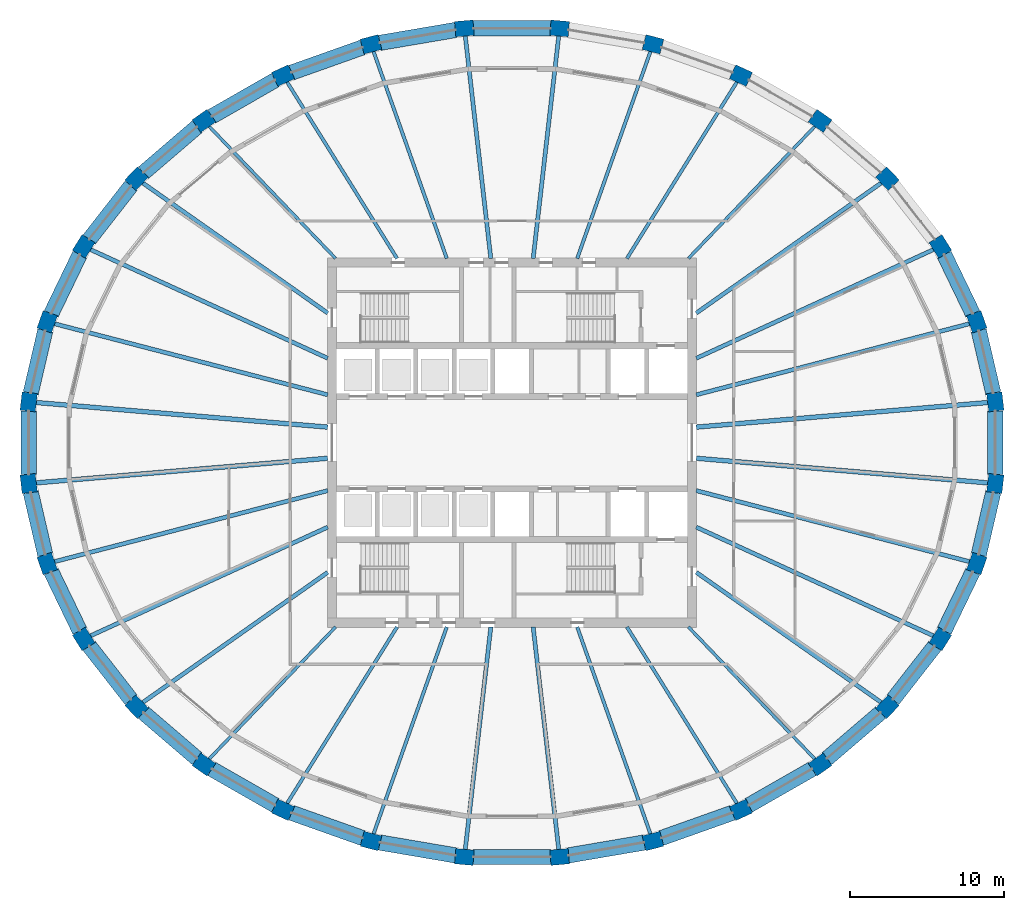
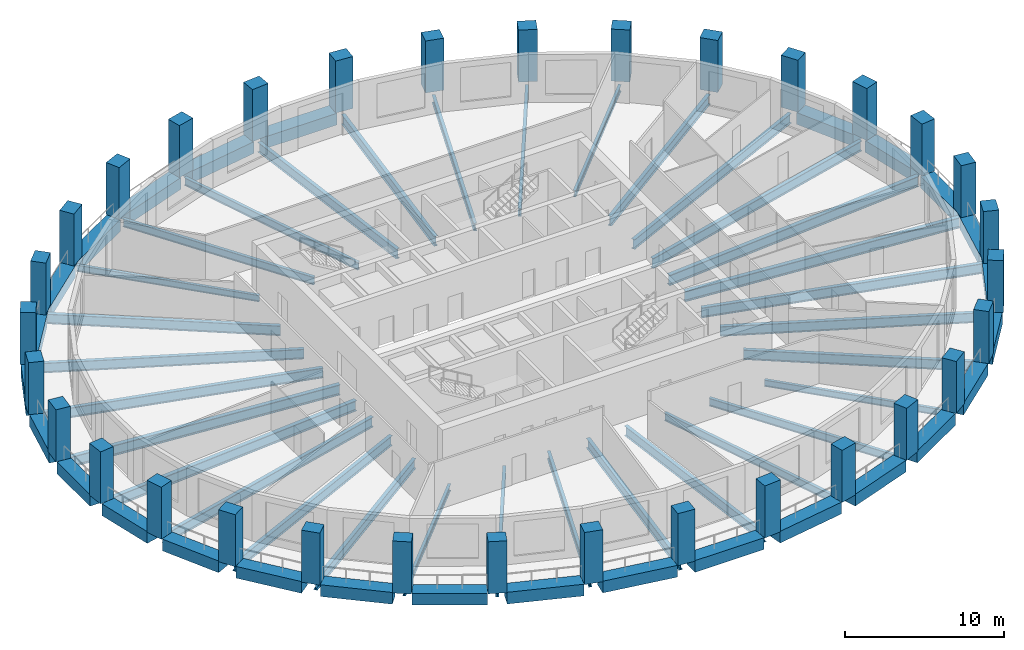
# One storey, part 1 of 11: 59 beams, 32 columns.
"""IFC4 building model written with IfcOpenShell, lengths in metres."""

from ifc_helpers import new_model, si_unit, direction, frame, origin, origin_2d, place, context, subcontext, project, spatial, rectangle, i_section, extrude, material, material_profile, profile_set, type_object, element, save


model = new_model("IFC4")

# Units and contexts
model_context = context("Model", 3, precision=1e-05, world=origin(), true_north=direction((0.0, 1.0)))
body_context = subcontext(model_context, "Body", "Model", "MODEL_VIEW")
ifc_project = project(units=[si_unit("LENGTHUNIT", "METRE"), si_unit("AREAUNIT", "SQUARE_METRE"), si_unit("VOLUMEUNIT", "CUBIC_METRE"), si_unit("PLANEANGLEUNIT", "RADIAN"), si_unit("MASSUNIT", "GRAM", prefix="KILO")], contexts=[model_context])

# Site, building, storey
site_placement = place(None, origin())
site = spatial("IfcSite", under=ifc_project, at=site_placement, CompositionType="ELEMENT")
building_placement = place(site_placement, origin())
building = spatial("IfcBuilding", under=site, at=building_placement, Name="Halqa Exchange Tower", CompositionType="ELEMENT")
storey_placement = place(building_placement, frame((0.0, 0.0, 226.89990234375)))
storey = spatial("IfcBuildingStorey", under=building, at=storey_placement, Name="L52", CompositionType="ELEMENT", Elevation=226.89990234375)

# Columns
ifc_material_1 = material(Name="Concrete C60/75", Category="concrete")
ifc_material_profile_1 = material_profile(ifc_material_1, rectangle(XDim=1.199951171875, YDim=1.0, at=origin_2d()), Name="1200 x 1000")
ifc_profile_set_1 = profile_set([ifc_material_profile_1], Name="Concrete C60/75")
column_type = type_object("IfcColumnType", Name="RC ring column 1200 x 1000 C60/75", PredefinedType="COLUMN", material=ifc_profile_set_1)
for number, where, z_axis, x_axis, name in (
    (1, (31.400634765625, 2.65087890625, 0.0), (0.0, 0.0, 1.0), (-0.114153454138, 0.993463129114, 0.0), "Ring column 1"),
    (2, (30.194091796875, 7.850830078125, 0.0), (0.0, 0.0, 1.0), (-0.333630814899, 0.942703813162, 0.0), "Ring column 2"),
    (3, (27.826904296875, 12.7490234375, 0.0), (0.0, 0.0, 1.0), (-0.529146420131, 0.848530533371, 0.0), "Ring column 3"),
    (4, (24.390380859375, 17.1572265625, 0.0), (0.0, 0.0, 1.0), (-0.691576091297, 0.722303613411, 0.0), "Ring column 4"),
    (5, (20.016845703125, 20.906005859375, 0.0), (0.0, 0.0, 1.0), (-0.817908788019, 0.57534790734, 0.0), "Ring column 5"),
    (6, (14.873779296875, 23.8515625, 0.0), (0.0, 0.0, 1.0), (-0.909128549752, 0.416515641994, 0.0), "Ring column 6"),
    (7, (9.1591796875, 25.880615234375, 0.0), (0.0, 0.0, 1.0), (-0.967818185946, 0.251650469805, 0.0), "Ring column 7"),
    (8, (3.0927734375, 26.914794921875, 0.0), (0.0, 0.0, 1.0), (-0.996454931683, 0.084128289675, 0.0), "Ring column 8"),
    (9, (-3.0927734375, 26.914794921875, 0.0), (0.0, 0.0, 1.0), (-0.996454931683, -0.084128289675, 0.0), "Ring column 9"),
    (10, (-9.1591796875, 25.880615234375, 0.0), (0.0, 0.0, 1.0), (-0.967818185946, -0.251650469805, 0.0), "Ring column 10"),
    (11, (-14.873779296875, 23.8515625, 0.0), (0.0, 0.0, 1.0), (-0.909128549752, -0.416515641994, 0.0), "Ring column 11"),
    (12, (-20.016845703125, 20.906005859375, 0.0), (0.0, 0.0, 1.0), (-0.817908788019, -0.57534790734, 0.0), "Ring column 12"),
    (13, (-24.390380859375, 17.1572265625, 0.0), (0.0, 0.0, 1.0), (-0.691576091297, -0.722303613411, 0.0), "Ring column 13"),
    (14, (-27.826904296875, 12.7490234375, 0.0), (0.0, 0.0, 1.0), (-0.529146420131, -0.848530533371, 0.0), "Ring column 14"),
    (15, (-30.194091796875, 7.850830078125, 0.0), (0.0, 0.0, 1.0), (-0.333630814899, -0.942703813162, 0.0), "Ring column 15"),
    (16, (-31.400634765625, 2.65087890625, 0.0), (0.0, 0.0, 1.0), (-0.114153454138, -0.993463129114, 0.0), "Ring column 16"),
    (17, (-31.400634765625, -2.65087890625, 0.0), (0.0, 0.0, 1.0), (0.114153454138, -0.993463129114, 0.0), "Ring column 17"),
    (18, (-30.194091796875, -7.850830078125, 0.0), (0.0, 0.0, 1.0), (0.333630814899, -0.942703813162, 0.0), "Ring column 18"),
    (19, (-27.826904296875, -12.7490234375, 0.0), (0.0, 0.0, 1.0), (0.529146420131, -0.848530533371, 0.0), "Ring column 19"),
    (20, (-24.390380859375, -17.1572265625, 0.0), (0.0, 0.0, 1.0), (0.691576091297, -0.722303613411, 0.0), "Ring column 20"),
    (21, (-20.016845703125, -20.906005859375, 0.0), (0.0, 0.0, 1.0), (0.817908788019, -0.57534790734, 0.0), "Ring column 21"),
    (22, (-14.873779296875, -23.8515625, 0.0), (0.0, 0.0, 1.0), (0.909128549752, -0.416515641994, 0.0), "Ring column 22"),
    (23, (-9.1591796875, -25.880615234375, 0.0), (0.0, 0.0, 1.0), (0.967818185946, -0.251650469805, 0.0), "Ring column 23"),
    (24, (-3.0927734375, -26.914794921875, 0.0), (0.0, 0.0, 1.0), (0.996454931683, -0.084128289675, 0.0), "Ring column 24"),
    (25, (3.0927734375, -26.914794921875, 0.0), (0.0, 0.0, 1.0), (0.996454931683, 0.084128289675, 0.0), "Ring column 25"),
    (26, (9.1591796875, -25.880615234375, 0.0), (0.0, 0.0, 1.0), (0.967818185946, 0.251650469805, 0.0), "Ring column 26"),
    (27, (14.873779296875, -23.8515625, 0.0), (0.0, 0.0, 1.0), (0.909128549752, 0.416515641994, 0.0), "Ring column 27"),
    (28, (20.016845703125, -20.906005859375, 0.0), (0.0, 0.0, 1.0), (0.817908788019, 0.57534790734, 0.0), "Ring column 28"),
    (29, (24.390380859375, -17.1572265625, 0.0), (0.0, 0.0, 1.0), (0.691576091297, 0.722303613411, 0.0), "Ring column 29"),
    (30, (27.826904296875, -12.7490234375, 0.0), (0.0, 0.0, 1.0), (0.529146420131, 0.848530533371, 0.0), "Ring column 30"),
    (31, (30.194091796875, -7.850830078125, 0.0), (0.0, 0.0, 1.0), (0.333630814899, 0.942703813162, 0.0), "Ring column 31"),
    (32, (31.400634765625, -2.65087890625, 0.0), (0.0, 0.0, 1.0), (0.114153454138, 0.993463129114, 0.0), "Ring column 32"),
):
    element("IfcColumn", number, at=place(storey_placement, frame(where, z_axis=z_axis, x_axis=x_axis)), inside=storey, type_object=column_type, Name=name, PredefinedType="COLUMN", context=body_context, shape_type="SweptSolid", body=[
        extrude(rectangle(XDim=1.199951171875, YDim=1.0, at=origin_2d()), origin(), (0.0, 0.0, 1.0), 4.0),
    ])

# Beams
ifc_material_2 = material(Name="Steel S355", Category="steel")
ifc_material_profile_2 = material_profile(ifc_material_2, i_section(OverallWidth=0.300048828125, OverallDepth=0.800048828125, WebThickness=0.017578125, FlangeThickness=0.032958984375, FilletRadius=0.030029296875, at=origin_2d()), Name="HEB 800")
ifc_profile_set_2 = profile_set([ifc_material_profile_2], Name="Steel S355")
beam_type_1 = type_object("IfcBeamType", Name="Floor beam HEB 800", PredefinedType="BEAM", material=ifc_profile_set_2)
for number, where, z_axis, x_axis, name in (
    (33, (11.972412109375, 1.0107421875, -0.699951171875), (0.996455378733, 0.084122994438, 0.0), (-0.084122994438, 0.996455378733, 0.0), "Radial beam 1"),
    (34, (-11.972412109375, 1.0107421875, -0.699951171875), (-0.996455378733, 0.084122994438, 0.0), (-0.084122994438, -0.996455378733, 0.0), "Radial beam 16"),
    (35, (-11.972412109375, -1.0107421875, -0.699951171875), (-0.996455378733, -0.084122994438, 0.0), (0.084122994438, -0.996455378733, 0.0), "Radial beam 17"),
    (36, (11.972412109375, -1.0107421875, -0.699951171875), (0.996455378733, -0.084122994438, 0.0), (0.084122994438, 0.996455378733, 0.0), "Radial beam 32"),
):
    element("IfcBeam", number, at=place(storey_placement, frame(where, z_axis=z_axis, x_axis=x_axis)), inside=storey, type_object=beam_type_1, Name=name, PredefinedType="BEAM", context=body_context, shape_type="SweptSolid", body=[
        extrude(i_section(OverallWidth=0.300048828125, OverallDepth=0.800048828125, WebThickness=0.017578125, FlangeThickness=0.032958984375, FilletRadius=0.030029296875, at=origin_2d()), origin(), (0.0, 0.0, 1.0), 19.12548828125),
    ])
ifc_material_profile_3 = material_profile(ifc_material_2, i_section(OverallWidth=0.199951171875, OverallDepth=0.5, WebThickness=0.01025390625, FlangeThickness=0.01611328125, FilletRadius=0.02099609375, at=origin_2d()), Name="IPE 500")
ifc_profile_set_3 = profile_set([ifc_material_profile_3], Name="Steel S355")
beam_type_2 = type_object("IfcBeamType", Name="Floor beam IPE 500", PredefinedType="BEAM", material=ifc_profile_set_3)
for number, where, z_axis, x_axis, name in (
    (37, (11.46337890625, 11.972900390625, -0.5498046875), (0.691589578554, 0.722290699674, 0.0), (-0.722290699674, 0.691589578554, 0.0), "Radial beam 5"),
    (38, (-11.46337890625, 11.972900390625, -0.5498046875), (-0.691589578554, 0.722290699674, 0.0), (-0.722290699674, -0.691589578554, 0.0), "Radial beam 12"),
    (39, (-11.46337890625, -11.972900390625, -0.5498046875), (-0.691589578554, -0.722290699674, 0.0), (0.722290699674, -0.691589578554, 0.0), "Radial beam 21"),
    (40, (11.46337890625, -11.972900390625, -0.5498046875), (0.691589578554, -0.722290699674, 0.0), (0.722290699674, 0.691589578554, 0.0), "Radial beam 28"),
):
    element("IfcBeam", number, at=place(storey_placement, frame(where, z_axis=z_axis, x_axis=x_axis)), inside=storey, type_object=beam_type_2, Name=name, PredefinedType="BEAM", context=body_context, shape_type="SweptSolid", body=[
        extrude(i_section(OverallWidth=0.199951171875, OverallDepth=0.5, WebThickness=0.01025390625, FlangeThickness=0.01611328125, FilletRadius=0.02099609375, at=origin_2d()), origin(), (0.0, 0.0, 1.0), 11.991943359375),
    ])
ifc_material_profile_4 = material_profile(ifc_material_2, i_section(OverallWidth=0.219970703125, OverallDepth=0.60009765625, WebThickness=0.011962890625, FlangeThickness=0.01904296875, FilletRadius=0.02392578125, at=origin_2d()), Name="IPE 600")
ifc_profile_set_4 = profile_set([ifc_material_profile_4], Name="Steel S355")
beam_type_3 = type_object("IfcBeamType", Name="Floor beam IPE 600", PredefinedType="BEAM", material=ifc_profile_set_4)
beam_1_placement = place(storey_placement, frame((7.466064453125, 11.972412109375, -0.599853515625), z_axis=(0.529130437453, 0.848540500012, 0.0), x_axis=(-0.848540500012, 0.529130437453, 0.0)))
element("IfcBeam", 41, at=beam_1_placement, inside=storey, type_object=beam_type_3, Name="Radial beam 6", PredefinedType="BEAM", context=body_context, shape_type="SweptSolid", body=[
    extrude(i_section(OverallWidth=0.219970703125, OverallDepth=0.60009765625, WebThickness=0.011962890625, FlangeThickness=0.01904296875, FilletRadius=0.02392578125, at=origin_2d()), origin(), (0.0, 0.0, 1.0), 13.623779296875),
])
for number, where, z_axis, x_axis, name in (
    (42, (4.23681640625, 11.9716796875, -0.599853515625), (0.333629022413, 0.942704447536, 0.0), (-0.942704447536, 0.333629022413, 0.0), "Radial beam 7"),
    (43, (-4.23681640625, 11.9716796875, -0.599853515625), (-0.333629022413, 0.942704447536, 0.0), (-0.942704447536, -0.333629022413, 0.0), "Radial beam 10"),
):
    element("IfcBeam", number, at=place(storey_placement, frame(where, z_axis=z_axis, x_axis=x_axis)), inside=storey, type_object=beam_type_3, Name=name, PredefinedType="BEAM", context=body_context, shape_type="SweptSolid", body=[
        extrude(i_section(OverallWidth=0.219970703125, OverallDepth=0.60009765625, WebThickness=0.011962890625, FlangeThickness=0.01904296875, FilletRadius=0.02392578125, at=origin_2d()), origin(), (0.0, 0.0, 1.0), 14.380126953125),
    ])
for number, where, z_axis, x_axis, name in (
    (44, (-7.466064453125, 11.972412109375, -0.599853515625), (-0.529130437453, 0.848540500012, 0.0), (-0.848540500012, -0.529130437453, 0.0), "Radial beam 11"),
    (45, (-7.466064453125, -11.972412109375, -0.599853515625), (-0.529130437453, -0.848540500012, 0.0), (0.848540500012, -0.529130437453, 0.0), "Radial beam 22"),
):
    element("IfcBeam", number, at=place(storey_placement, frame(where, z_axis=z_axis, x_axis=x_axis)), inside=storey, type_object=beam_type_3, Name=name, PredefinedType="BEAM", context=body_context, shape_type="SweptSolid", body=[
        extrude(i_section(OverallWidth=0.219970703125, OverallDepth=0.60009765625, WebThickness=0.011962890625, FlangeThickness=0.01904296875, FilletRadius=0.02392578125, at=origin_2d()), origin(), (0.0, 0.0, 1.0), 13.623779296875),
    ])
for number, where, z_axis, x_axis, name in (
    (46, (-4.23681640625, -11.9716796875, -0.599853515625), (-0.333629022413, -0.942704447536, 0.0), (0.942704447536, -0.333629022413, 0.0), "Radial beam 23"),
    (47, (4.23681640625, -11.9716796875, -0.599853515625), (0.333629022413, -0.942704447536, 0.0), (0.942704447536, 0.333629022413, 0.0), "Radial beam 26"),
):
    element("IfcBeam", number, at=place(storey_placement, frame(where, z_axis=z_axis, x_axis=x_axis)), inside=storey, type_object=beam_type_3, Name=name, PredefinedType="BEAM", context=body_context, shape_type="SweptSolid", body=[
        extrude(i_section(OverallWidth=0.219970703125, OverallDepth=0.60009765625, WebThickness=0.011962890625, FlangeThickness=0.01904296875, FilletRadius=0.02392578125, at=origin_2d()), origin(), (0.0, 0.0, 1.0), 14.380126953125),
    ])
beam_2_placement = place(storey_placement, frame((7.466064453125, -11.972412109375, -0.599853515625), z_axis=(0.529130437453, -0.848540500012, 0.0), x_axis=(0.848540500012, 0.529130437453, 0.0)))
element("IfcBeam", 48, at=beam_2_placement, inside=storey, type_object=beam_type_3, Name="Radial beam 27", PredefinedType="BEAM", context=body_context, shape_type="SweptSolid", body=[
    extrude(i_section(OverallWidth=0.219970703125, OverallDepth=0.60009765625, WebThickness=0.011962890625, FlangeThickness=0.01904296875, FilletRadius=0.02392578125, at=origin_2d()), origin(), (0.0, 0.0, 1.0), 13.623779296875),
])
ifc_material_profile_5 = material_profile(ifc_material_2, i_section(OverallWidth=0.264892578125, OverallDepth=0.7529296875, WebThickness=0.01318359375, FlangeThickness=0.01708984375, FilletRadius=0.01708984375, at=origin_2d()), Name="IPE 750x147")
ifc_profile_set_5 = profile_set([ifc_material_profile_5], Name="Steel S355")
beam_type_4 = type_object("IfcBeamType", Name="Floor beam IPE 750x147", PredefinedType="BEAM", material=ifc_profile_set_5)
beam_3_placement = place(storey_placement, frame((11.972412109375, 5.485107421875, -0.676513671875), z_axis=(0.909127135445, 0.416518728989, 0.0), x_axis=(-0.416518728989, 0.909127135445, 0.0)))
element("IfcBeam", 49, at=beam_3_placement, inside=storey, type_object=beam_type_4, Name="Radial beam 3", PredefinedType="BEAM", context=body_context, shape_type="SweptSolid", body=[
    extrude(i_section(OverallWidth=0.264892578125, OverallDepth=0.7529296875, WebThickness=0.01318359375, FlangeThickness=0.01708984375, FilletRadius=0.01708984375, at=origin_2d()), origin(), (0.0, 0.0, 1.0), 17.063232421875),
])
beam_4_placement = place(storey_placement, frame((11.97216796875, 8.421630859375, -0.676513671875), z_axis=(0.817906711766, 0.57535085891, 0.0), x_axis=(-0.57535085891, 0.817906711766, 0.0)))
element("IfcBeam", 50, at=beam_4_placement, inside=storey, type_object=beam_type_4, Name="Radial beam 4", PredefinedType="BEAM", context=body_context, shape_type="SweptSolid", body=[
    extrude(i_section(OverallWidth=0.264892578125, OverallDepth=0.7529296875, WebThickness=0.01318359375, FlangeThickness=0.01708984375, FilletRadius=0.01708984375, at=origin_2d()), origin(), (0.0, 0.0, 1.0), 14.80712890625),
])
for number, where, z_axis, x_axis, name in (
    (51, (1.375732421875, 11.972900390625, -0.676513671875), (0.114161028544, 0.993462258751, 0.0), (-0.993462258751, 0.114161028544, 0.0), "Radial beam 8"),
    (52, (-1.375732421875, 11.972900390625, -0.676513671875), (-0.114161028544, 0.993462258751, 0.0), (-0.993462258751, -0.114161028544, 0.0), "Radial beam 9"),
):
    element("IfcBeam", number, at=place(storey_placement, frame(where, z_axis=z_axis, x_axis=x_axis)), inside=storey, type_object=beam_type_4, Name=name, PredefinedType="BEAM", context=body_context, shape_type="SweptSolid", body=[
        extrude(i_section(OverallWidth=0.264892578125, OverallDepth=0.7529296875, WebThickness=0.01318359375, FlangeThickness=0.01708984375, FilletRadius=0.01708984375, at=origin_2d()), origin(), (0.0, 0.0, 1.0), 14.66845703125),
    ])
beam_5_placement = place(storey_placement, frame((-11.97216796875, 8.421630859375, -0.676513671875), z_axis=(-0.817906711766, 0.57535085891, 0.0), x_axis=(-0.57535085891, -0.817906711766, 0.0)))
element("IfcBeam", 53, at=beam_5_placement, inside=storey, type_object=beam_type_4, Name="Radial beam 13", PredefinedType="BEAM", context=body_context, shape_type="SweptSolid", body=[
    extrude(i_section(OverallWidth=0.264892578125, OverallDepth=0.7529296875, WebThickness=0.01318359375, FlangeThickness=0.01708984375, FilletRadius=0.01708984375, at=origin_2d()), origin(), (0.0, 0.0, 1.0), 14.80712890625),
])
for number, where, z_axis, x_axis, name in (
    (54, (-11.972412109375, 5.485107421875, -0.676513671875), (-0.909127135445, 0.416518728989, 0.0), (-0.416518728989, -0.909127135445, 0.0), "Radial beam 14"),
    (55, (-11.972412109375, -5.485107421875, -0.676513671875), (-0.909127135445, -0.416518728989, 0.0), (0.416518728989, -0.909127135445, 0.0), "Radial beam 19"),
):
    element("IfcBeam", number, at=place(storey_placement, frame(where, z_axis=z_axis, x_axis=x_axis)), inside=storey, type_object=beam_type_4, Name=name, PredefinedType="BEAM", context=body_context, shape_type="SweptSolid", body=[
        extrude(i_section(OverallWidth=0.264892578125, OverallDepth=0.7529296875, WebThickness=0.01318359375, FlangeThickness=0.01708984375, FilletRadius=0.01708984375, at=origin_2d()), origin(), (0.0, 0.0, 1.0), 17.063232421875),
    ])
beam_6_placement = place(storey_placement, frame((-11.97216796875, -8.421630859375, -0.676513671875), z_axis=(-0.817906711766, -0.57535085891, 0.0), x_axis=(0.57535085891, -0.817906711766, 0.0)))
element("IfcBeam", 56, at=beam_6_placement, inside=storey, type_object=beam_type_4, Name="Radial beam 20", PredefinedType="BEAM", context=body_context, shape_type="SweptSolid", body=[
    extrude(i_section(OverallWidth=0.264892578125, OverallDepth=0.7529296875, WebThickness=0.01318359375, FlangeThickness=0.01708984375, FilletRadius=0.01708984375, at=origin_2d()), origin(), (0.0, 0.0, 1.0), 14.80712890625),
])
for number, where, z_axis, x_axis, name in (
    (57, (-1.375732421875, -11.972900390625, -0.676513671875), (-0.114161028544, -0.993462258751, 0.0), (0.993462258751, -0.114161028544, 0.0), "Radial beam 24"),
    (58, (1.375732421875, -11.972900390625, -0.676513671875), (0.114161028544, -0.993462258751, 0.0), (0.993462258751, 0.114161028544, 0.0), "Radial beam 25"),
):
    element("IfcBeam", number, at=place(storey_placement, frame(where, z_axis=z_axis, x_axis=x_axis)), inside=storey, type_object=beam_type_4, Name=name, PredefinedType="BEAM", context=body_context, shape_type="SweptSolid", body=[
        extrude(i_section(OverallWidth=0.264892578125, OverallDepth=0.7529296875, WebThickness=0.01318359375, FlangeThickness=0.01708984375, FilletRadius=0.01708984375, at=origin_2d()), origin(), (0.0, 0.0, 1.0), 14.66845703125),
    ])
beam_7_placement = place(storey_placement, frame((11.97216796875, -8.421630859375, -0.676513671875), z_axis=(0.817906711766, -0.57535085891, 0.0), x_axis=(0.57535085891, 0.817906711766, 0.0)))
element("IfcBeam", 59, at=beam_7_placement, inside=storey, type_object=beam_type_4, Name="Radial beam 29", PredefinedType="BEAM", context=body_context, shape_type="SweptSolid", body=[
    extrude(i_section(OverallWidth=0.264892578125, OverallDepth=0.7529296875, WebThickness=0.01318359375, FlangeThickness=0.01708984375, FilletRadius=0.01708984375, at=origin_2d()), origin(), (0.0, 0.0, 1.0), 14.80712890625),
])
beam_8_placement = place(storey_placement, frame((11.972412109375, -5.485107421875, -0.676513671875), z_axis=(0.909127135445, -0.416518728989, 0.0), x_axis=(0.416518728989, 0.909127135445, 0.0)))
element("IfcBeam", 60, at=beam_8_placement, inside=storey, type_object=beam_type_4, Name="Radial beam 30", PredefinedType="BEAM", context=body_context, shape_type="SweptSolid", body=[
    extrude(i_section(OverallWidth=0.264892578125, OverallDepth=0.7529296875, WebThickness=0.01318359375, FlangeThickness=0.01708984375, FilletRadius=0.01708984375, at=origin_2d()), origin(), (0.0, 0.0, 1.0), 17.063232421875),
])
ifc_material_profile_6 = material_profile(ifc_material_2, i_section(OverallWidth=0.26806640625, OverallDepth=0.77001953125, WebThickness=0.015625, FlangeThickness=0.025390625, FilletRadius=0.01708984375, at=origin_2d()), Name="IPE 750x196")
ifc_profile_set_6 = profile_set([ifc_material_profile_6], Name="Steel S355")
beam_type_5 = type_object("IfcBeamType", Name="Floor beam IPE 750x196", PredefinedType="BEAM", material=ifc_profile_set_6)
for number, where, z_axis, x_axis, name in (
    (61, (11.97119140625, 3.112548828125, -0.684814453125), (0.967819542674, 0.251645251931, 0.0), (-0.251645251931, 0.967819542674, 0.0), "Radial beam 2"),
    (62, (-11.97119140625, 3.112548828125, -0.684814453125), (-0.967819542674, 0.251645251931, 0.0), (-0.251645251931, -0.967819542674, 0.0), "Radial beam 15"),
    (63, (-11.97119140625, -3.112548828125, -0.684814453125), (-0.967819542674, -0.251645251931, 0.0), (0.251645251931, -0.967819542674, 0.0), "Radial beam 18"),
    (64, (11.97119140625, -3.112548828125, -0.684814453125), (0.967819542674, -0.251645251931, 0.0), (0.251645251931, 0.967819542674, 0.0), "Radial beam 31"),
):
    element("IfcBeam", number, at=place(storey_placement, frame(where, z_axis=z_axis, x_axis=x_axis)), inside=storey, type_object=beam_type_5, Name=name, PredefinedType="BEAM", context=body_context, shape_type="SweptSolid", body=[
        extrude(i_section(OverallWidth=0.26806640625, OverallDepth=0.77001953125, WebThickness=0.015625, FlangeThickness=0.025390625, FilletRadius=0.01708984375, at=origin_2d()), origin(), (0.0, 0.0, 1.0), 18.454833984375),
    ])
ifc_material_profile_7 = material_profile(ifc_material_1, rectangle(XDim=1.0, YDim=0.89990234375, at=origin_2d()), Name="1000 x 900")
ifc_profile_set_7 = profile_set([ifc_material_profile_7], Name="Concrete C60/75")
beam_type_6 = type_object("IfcBeamType", Name="RC spandrel beam 1000 x 900 C60/75", PredefinedType="SPANDREL", material=ifc_profile_set_7)
beam_9_placement = place(storey_placement, frame((31.2705078125, 3.21240234375, -0.449951171875), z_axis=(-0.226060530608, 0.974113256506, 0.0), x_axis=(-0.974113256506, -0.226060530608, 0.0)))
element("IfcBeam", 65, at=beam_9_placement, inside=storey, type_object=beam_type_6, Name="Spandrel 1", PredefinedType="SPANDREL", context=body_context, shape_type="SweptSolid", body=[
    extrude(rectangle(XDim=1.0, YDim=0.89990234375, at=origin_2d()), origin(), (0.0, 0.0, 1.0), 4.18603515625),
])
beam_10_placement = place(storey_placement, frame((29.94384765625, 8.368408203125, -0.449951171875), z_axis=(-0.435107144785, 0.900378682865, 0.0), x_axis=(-0.900378682865, -0.435107144785, 0.0)))
element("IfcBeam", 66, at=beam_10_placement, inside=storey, type_object=beam_type_6, Name="Spandrel 2", PredefinedType="SPANDREL", context=body_context, shape_type="SweptSolid", body=[
    extrude(rectangle(XDim=1.0, YDim=0.89990234375, at=origin_2d()), origin(), (0.0, 0.0, 1.0), 4.28955078125),
])
beam_11_placement = place(storey_placement, frame((2.519287109375, 26.914794921875, -0.449951171875), z_axis=(-1.0, 0.0, 0.0), x_axis=(0.0, -1.0, 0.0)))
element("IfcBeam", 67, at=beam_11_placement, inside=storey, type_object=beam_type_6, Name="Spandrel 8", PredefinedType="SPANDREL", context=body_context, shape_type="SweptSolid", body=[
    extrude(rectangle(XDim=1.0, YDim=0.89990234375, at=origin_2d()), origin(), (0.0, 0.0, 1.0), 5.03857421875),
])
beam_12_placement = place(storey_placement, frame((-3.658203125, 26.818603515625, -0.449951171875), z_axis=(-0.985770147747, -0.16809882751, 0.0), x_axis=(0.16809882751, -0.985770147747, 0.0)))
element("IfcBeam", 68, at=beam_12_placement, inside=storey, type_object=beam_type_6, Name="Spandrel 9", PredefinedType="SPANDREL", context=body_context, shape_type="SweptSolid", body=[
    extrude(rectangle(XDim=1.0, YDim=0.89990234375, at=origin_2d()), origin(), (0.0, 0.0, 1.0), 5.00634765625),
])
beam_13_placement = place(storey_placement, frame((-9.70068359375, 25.688232421875, -0.449951171875), z_axis=(-0.942371691237, -0.334567774234, 0.0), x_axis=(0.334567774234, -0.942371691237, 0.0)))
element("IfcBeam", 69, at=beam_13_placement, inside=storey, type_object=beam_type_6, Name="Spandrel 10", PredefinedType="SPANDREL", context=body_context, shape_type="SweptSolid", body=[
    extrude(rectangle(XDim=1.0, YDim=0.89990234375, at=origin_2d()), origin(), (0.0, 0.0, 1.0), 4.916015625),
])
beam_14_placement = place(storey_placement, frame((-15.372314453125, 23.566162109375, -0.449951171875), z_axis=(-0.867742640568, -0.497013792304, 0.0), x_axis=(0.497013792304, -0.867742640568, 0.0)))
element("IfcBeam", 70, at=beam_14_placement, inside=storey, type_object=beam_type_6, Name="Spandrel 11", PredefinedType="SPANDREL", context=body_context, shape_type="SweptSolid", body=[
    extrude(rectangle(XDim=1.0, YDim=0.89990234375, at=origin_2d()), origin(), (0.0, 0.0, 1.0), 4.777099609375),
])
beam_15_placement = place(storey_placement, frame((-20.452880859375, 20.5322265625, -0.449951171875), z_axis=(-0.759252865995, -0.65079573253, 0.0), x_axis=(0.65079573253, -0.759252865995, 0.0)))
element("IfcBeam", 71, at=beam_15_placement, inside=storey, type_object=beam_type_6, Name="Spandrel 12", PredefinedType="SPANDREL", context=body_context, shape_type="SweptSolid", body=[
    extrude(rectangle(XDim=1.0, YDim=0.89990234375, at=origin_2d()), origin(), (0.0, 0.0, 1.0), 4.6123046875),
])
beam_16_placement = place(storey_placement, frame((-24.744140625, 16.70361328125, -0.449951171875), z_axis=(-0.61480064822, -0.788682548906, 0.0), x_axis=(0.788682548906, -0.61480064822, 0.0)))
element("IfcBeam", 72, at=beam_16_placement, inside=storey, type_object=beam_type_6, Name="Spandrel 13", PredefinedType="SPANDREL", context=body_context, shape_type="SweptSolid", body=[
    extrude(rectangle(XDim=1.0, YDim=0.89990234375, at=origin_2d()), origin(), (0.0, 0.0, 1.0), 4.439697265625),
])
beam_17_placement = place(storey_placement, frame((-28.077392578125, 12.230712890625, -0.449951171875), z_axis=(-0.435107144785, -0.900378682865, 0.0), x_axis=(0.900378682865, -0.435107144785, 0.0)))
element("IfcBeam", 73, at=beam_17_placement, inside=storey, type_object=beam_type_6, Name="Spandrel 14", PredefinedType="SPANDREL", context=body_context, shape_type="SweptSolid", body=[
    extrude(rectangle(XDim=1.0, YDim=0.89990234375, at=origin_2d()), origin(), (0.0, 0.0, 1.0), 4.28955078125),
])
beam_18_placement = place(storey_placement, frame((-30.32421875, 7.2900390625, -0.449951171875), z_axis=(-0.226060530608, -0.974113256506, 0.0), x_axis=(0.974113256506, -0.226060530608, 0.0)))
element("IfcBeam", 74, at=beam_18_placement, inside=storey, type_object=beam_type_6, Name="Spandrel 15", PredefinedType="SPANDREL", context=body_context, shape_type="SweptSolid", body=[
    extrude(rectangle(XDim=1.0, YDim=0.89990234375, at=origin_2d()), origin(), (0.0, 0.0, 1.0), 4.18603515625),
])
beam_19_placement = place(storey_placement, frame((-31.400634765625, 2.07421875, -0.449951171875), z_axis=(0.0, -1.0, 0.0), x_axis=(1.0, 0.0, 0.0)))
element("IfcBeam", 75, at=beam_19_placement, inside=storey, type_object=beam_type_6, Name="Spandrel 16", PredefinedType="SPANDREL", context=body_context, shape_type="SweptSolid", body=[
    extrude(rectangle(XDim=1.0, YDim=0.89990234375, at=origin_2d()), origin(), (0.0, 0.0, 1.0), 4.1484375),
])
beam_20_placement = place(storey_placement, frame((-31.2705078125, -3.21240234375, -0.449951171875), z_axis=(0.226060530608, -0.974113256506, 0.0), x_axis=(0.974113256506, 0.226060530608, 0.0)))
element("IfcBeam", 76, at=beam_20_placement, inside=storey, type_object=beam_type_6, Name="Spandrel 17", PredefinedType="SPANDREL", context=body_context, shape_type="SweptSolid", body=[
    extrude(rectangle(XDim=1.0, YDim=0.89990234375, at=origin_2d()), origin(), (0.0, 0.0, 1.0), 4.18603515625),
])
beam_21_placement = place(storey_placement, frame((-29.94384765625, -8.368408203125, -0.449951171875), z_axis=(0.435107144785, -0.900378682865, 0.0), x_axis=(0.900378682865, 0.435107144785, 0.0)))
element("IfcBeam", 77, at=beam_21_placement, inside=storey, type_object=beam_type_6, Name="Spandrel 18", PredefinedType="SPANDREL", context=body_context, shape_type="SweptSolid", body=[
    extrude(rectangle(XDim=1.0, YDim=0.89990234375, at=origin_2d()), origin(), (0.0, 0.0, 1.0), 4.28955078125),
])
beam_22_placement = place(storey_placement, frame((-27.4736328125, -13.2021484375, -0.449951171875), z_axis=(0.61480064822, -0.788682548906, 0.0), x_axis=(0.788682548906, 0.61480064822, 0.0)))
element("IfcBeam", 78, at=beam_22_placement, inside=storey, type_object=beam_type_6, Name="Spandrel 19", PredefinedType="SPANDREL", context=body_context, shape_type="SweptSolid", body=[
    extrude(rectangle(XDim=1.0, YDim=0.89990234375, at=origin_2d()), origin(), (0.0, 0.0, 1.0), 4.439697265625),
])
beam_23_placement = place(storey_placement, frame((-23.954833984375, -17.530517578125, -0.449951171875), z_axis=(0.759252865995, -0.65079573253, 0.0), x_axis=(0.65079573253, 0.759252865995, 0.0)))
element("IfcBeam", 79, at=beam_23_placement, inside=storey, type_object=beam_type_6, Name="Spandrel 20", PredefinedType="SPANDREL", context=body_context, shape_type="SweptSolid", body=[
    extrude(rectangle(XDim=1.0, YDim=0.89990234375, at=origin_2d()), origin(), (0.0, 0.0, 1.0), 4.6123046875),
])
beam_24_placement = place(storey_placement, frame((-19.517578125, -21.19189453125, -0.449951171875), z_axis=(0.867742640568, -0.497013792304, 0.0), x_axis=(0.497013792304, 0.867742640568, 0.0)))
element("IfcBeam", 80, at=beam_24_placement, inside=storey, type_object=beam_type_6, Name="Spandrel 21", PredefinedType="SPANDREL", context=body_context, shape_type="SweptSolid", body=[
    extrude(rectangle(XDim=1.0, YDim=0.89990234375, at=origin_2d()), origin(), (0.0, 0.0, 1.0), 4.777099609375),
])
beam_25_placement = place(storey_placement, frame((-14.33349609375, -24.04345703125, -0.449951171875), z_axis=(0.942371691237, -0.334567774234, 0.0), x_axis=(0.334567774234, 0.942371691237, 0.0)))
element("IfcBeam", 81, at=beam_25_placement, inside=storey, type_object=beam_type_6, Name="Spandrel 22", PredefinedType="SPANDREL", context=body_context, shape_type="SweptSolid", body=[
    extrude(rectangle(XDim=1.0, YDim=0.89990234375, at=origin_2d()), origin(), (0.0, 0.0, 1.0), 4.916015625),
])
beam_26_placement = place(storey_placement, frame((-8.59326171875, -25.97705078125, -0.449951171875), z_axis=(0.985770147747, -0.16809882751, 0.0), x_axis=(0.16809882751, 0.985770147747, 0.0)))
element("IfcBeam", 82, at=beam_26_placement, inside=storey, type_object=beam_type_6, Name="Spandrel 23", PredefinedType="SPANDREL", context=body_context, shape_type="SweptSolid", body=[
    extrude(rectangle(XDim=1.0, YDim=0.89990234375, at=origin_2d()), origin(), (0.0, 0.0, 1.0), 5.00634765625),
])
beam_27_placement = place(storey_placement, frame((-2.519287109375, -26.914794921875, -0.449951171875), z_axis=(1.0, 0.0, 0.0), x_axis=(0.0, 1.0, 0.0)))
element("IfcBeam", 83, at=beam_27_placement, inside=storey, type_object=beam_type_6, Name="Spandrel 24", PredefinedType="SPANDREL", context=body_context, shape_type="SweptSolid", body=[
    extrude(rectangle(XDim=1.0, YDim=0.89990234375, at=origin_2d()), origin(), (0.0, 0.0, 1.0), 5.03857421875),
])
beam_28_placement = place(storey_placement, frame((3.658203125, -26.818603515625, -0.449951171875), z_axis=(0.985770147747, 0.16809882751, 0.0), x_axis=(-0.16809882751, 0.985770147747, 0.0)))
element("IfcBeam", 84, at=beam_28_placement, inside=storey, type_object=beam_type_6, Name="Spandrel 25", PredefinedType="SPANDREL", context=body_context, shape_type="SweptSolid", body=[
    extrude(rectangle(XDim=1.0, YDim=0.89990234375, at=origin_2d()), origin(), (0.0, 0.0, 1.0), 5.00634765625),
])
beam_29_placement = place(storey_placement, frame((9.70068359375, -25.688232421875, -0.449951171875), z_axis=(0.942371691237, 0.334567774234, 0.0), x_axis=(-0.334567774234, 0.942371691237, 0.0)))
element("IfcBeam", 85, at=beam_29_placement, inside=storey, type_object=beam_type_6, Name="Spandrel 26", PredefinedType="SPANDREL", context=body_context, shape_type="SweptSolid", body=[
    extrude(rectangle(XDim=1.0, YDim=0.89990234375, at=origin_2d()), origin(), (0.0, 0.0, 1.0), 4.916015625),
])
beam_30_placement = place(storey_placement, frame((15.372314453125, -23.566162109375, -0.449951171875), z_axis=(0.867742640568, 0.497013792304, 0.0), x_axis=(-0.497013792304, 0.867742640568, 0.0)))
element("IfcBeam", 86, at=beam_30_placement, inside=storey, type_object=beam_type_6, Name="Spandrel 27", PredefinedType="SPANDREL", context=body_context, shape_type="SweptSolid", body=[
    extrude(rectangle(XDim=1.0, YDim=0.89990234375, at=origin_2d()), origin(), (0.0, 0.0, 1.0), 4.777099609375),
])
beam_31_placement = place(storey_placement, frame((20.452880859375, -20.5322265625, -0.449951171875), z_axis=(0.759252865995, 0.65079573253, 0.0), x_axis=(-0.65079573253, 0.759252865995, 0.0)))
element("IfcBeam", 87, at=beam_31_placement, inside=storey, type_object=beam_type_6, Name="Spandrel 28", PredefinedType="SPANDREL", context=body_context, shape_type="SweptSolid", body=[
    extrude(rectangle(XDim=1.0, YDim=0.89990234375, at=origin_2d()), origin(), (0.0, 0.0, 1.0), 4.6123046875),
])
beam_32_placement = place(storey_placement, frame((24.744140625, -16.70361328125, -0.449951171875), z_axis=(0.61480064822, 0.788682548906, 0.0), x_axis=(-0.788682548906, 0.61480064822, 0.0)))
element("IfcBeam", 88, at=beam_32_placement, inside=storey, type_object=beam_type_6, Name="Spandrel 29", PredefinedType="SPANDREL", context=body_context, shape_type="SweptSolid", body=[
    extrude(rectangle(XDim=1.0, YDim=0.89990234375, at=origin_2d()), origin(), (0.0, 0.0, 1.0), 4.439697265625),
])
beam_33_placement = place(storey_placement, frame((28.077392578125, -12.230712890625, -0.449951171875), z_axis=(0.435107144785, 0.900378682865, 0.0), x_axis=(-0.900378682865, 0.435107144785, 0.0)))
element("IfcBeam", 89, at=beam_33_placement, inside=storey, type_object=beam_type_6, Name="Spandrel 30", PredefinedType="SPANDREL", context=body_context, shape_type="SweptSolid", body=[
    extrude(rectangle(XDim=1.0, YDim=0.89990234375, at=origin_2d()), origin(), (0.0, 0.0, 1.0), 4.28955078125),
])
beam_34_placement = place(storey_placement, frame((30.32421875, -7.2900390625, -0.449951171875), z_axis=(0.226060530608, 0.974113256506, 0.0), x_axis=(-0.974113256506, 0.226060530608, 0.0)))
element("IfcBeam", 90, at=beam_34_placement, inside=storey, type_object=beam_type_6, Name="Spandrel 31", PredefinedType="SPANDREL", context=body_context, shape_type="SweptSolid", body=[
    extrude(rectangle(XDim=1.0, YDim=0.89990234375, at=origin_2d()), origin(), (0.0, 0.0, 1.0), 4.18603515625),
])
beam_35_placement = place(storey_placement, frame((31.400634765625, -2.07421875, -0.449951171875), z_axis=(0.0, 1.0, 0.0), x_axis=(-1.0, 0.0, 0.0)))
element("IfcBeam", 91, at=beam_35_placement, inside=storey, type_object=beam_type_6, Name="Spandrel 32", PredefinedType="SPANDREL", context=body_context, shape_type="SweptSolid", body=[
    extrude(rectangle(XDim=1.0, YDim=0.89990234375, at=origin_2d()), origin(), (0.0, 0.0, 1.0), 4.1484375),
])

save(model, "model.ifc")
